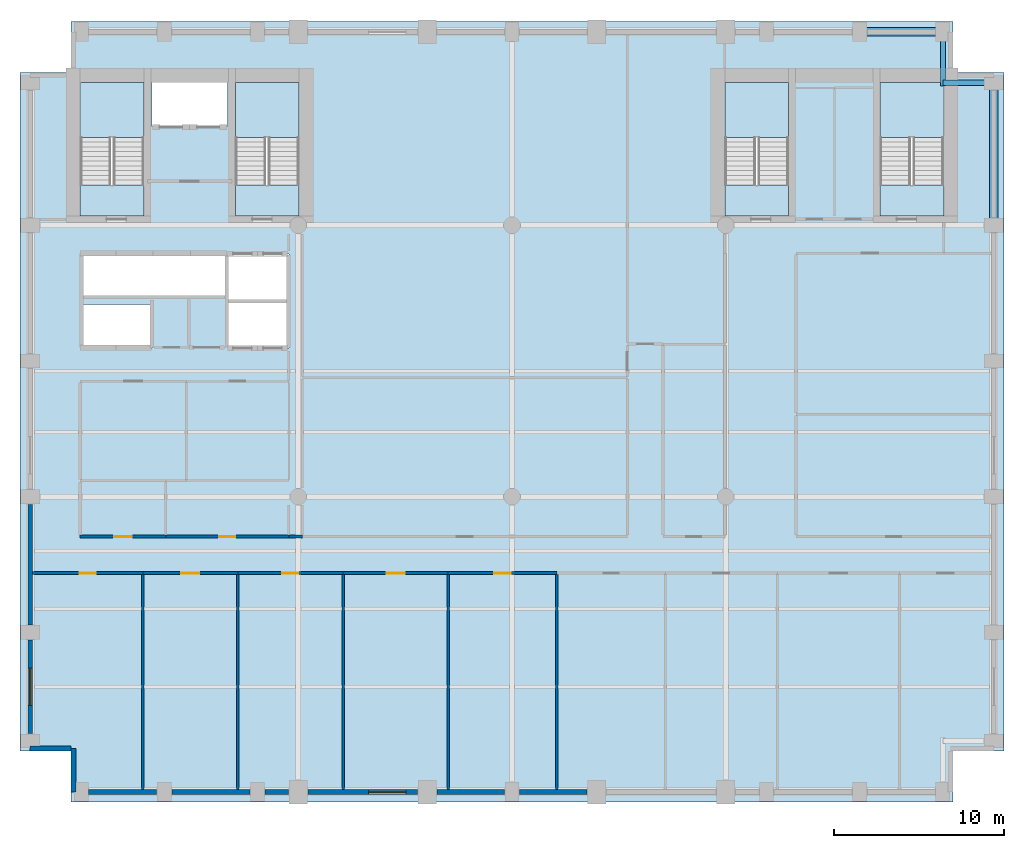
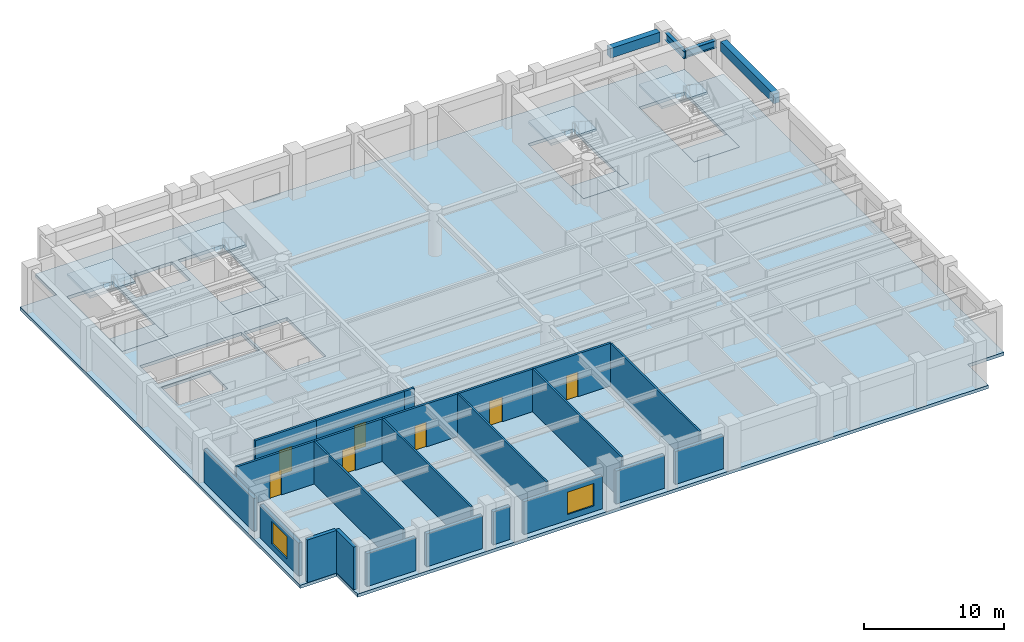
# One storey, part 2 of 8: 23 walls, 9 slabs, 7 doors, 4 beams, 2 windows, 9 openings, 4 elements without a shape of their own.
"""IFC4 building model written with IfcOpenShell, lengths in metres."""

from ifc_helpers import new_model, si_unit, direction, frame, frame_2d, origin, origin_2d, place, context, subcontext, project, spatial, polyline, rectangle, i_section, outline, extrude, material, layer, layer_set, material_profile, profile_set, type_object, element, fill, aggregate, save


model = new_model("IFC4")

# Units and contexts
model_context = context("Model", 3, precision=1e-05, world=origin(), true_north=direction((0.0, 1.0)))
body_context = subcontext(model_context, "Body", "Model", "MODEL_VIEW")
ifc_project = project(units=[si_unit("LENGTHUNIT", "METRE"), si_unit("AREAUNIT", "SQUARE_METRE"), si_unit("VOLUMEUNIT", "CUBIC_METRE"), si_unit("PLANEANGLEUNIT", "RADIAN"), si_unit("MASSUNIT", "GRAM", prefix="KILO")], contexts=[model_context])

# Site, building, storey
site_placement = place(None, origin())
site = spatial("IfcSite", under=ifc_project, at=site_placement, CompositionType="ELEMENT")
building_placement = place(site_placement, origin())
building = spatial("IfcBuilding", under=site, at=building_placement, Name="Sulina Concourse Tower", CompositionType="ELEMENT")
storey_placement = place(building_placement, frame((0.0, 0.0, 148.60009765625)))
storey = spatial("IfcBuildingStorey", under=building, at=storey_placement, Name="L36", CompositionType="ELEMENT", Elevation=148.60009765625)

# Beams
ifc_material_1 = material(Name="Steel S355", Category="steel")
ifc_material_profile_1 = material_profile(ifc_material_1, i_section(OverallWidth=0.300048828125, OverallDepth=0.64990234375, WebThickness=0.01611328125, FlangeThickness=0.031005859375, at=origin_2d()), Name="HE 650 B")
ifc_profile_set_1 = profile_set([ifc_material_profile_1], Name="Steel S355")
beam_type_1 = type_object("IfcBeamType", Name="Floor Primary Girder Zone 2 HE650B", PredefinedType="BEAM", material=ifc_profile_set_1)
beam_1_placement = place(storey_placement, frame((54.39990234375, 42.39990234375, 3.39990234375), z_axis=(1.0, 0.0, 0.0), x_axis=(0.0, 1.0, 0.0)))
element("IfcBeam", 1, at=beam_1_placement, inside=storey, type_object=beam_type_1, Name="TIE-NE-L36", PredefinedType="BEAM", context=body_context, shape_type="SweptSolid", body=[
    extrude(i_section(OverallWidth=0.300048828125, OverallDepth=0.64990234375, WebThickness=0.01611328125, FlangeThickness=0.031005859375, at=origin_2d()), origin(), (0.0, 0.0, 1.0), 2.59521484375),
])
beam_2_placement = place(storey_placement, frame((54.39990234375, 42.199951171875, 3.39990234375), z_axis=(0.0, 1.0, 0.0), x_axis=(-1.0, 0.0, 0.0)))
element("IfcBeam", 2, at=beam_2_placement, inside=storey, type_object=beam_type_1, Name="TIE-NEN-L36", PredefinedType="BEAM", context=body_context, shape_type="SweptSolid", body=[
    extrude(i_section(OverallWidth=0.300048828125, OverallDepth=0.64990234375, WebThickness=0.01611328125, FlangeThickness=0.031005859375, at=origin_2d()), origin(), (0.0, 0.0, 1.0), 2.795166015625),
])
ifc_material_2 = material(Name="Precast concrete C50/60", Category="concrete")
ifc_material_profile_2 = material_profile(ifc_material_2, rectangle(XDim=0.5, YDim=0.85009765625, at=origin_2d()), Name="RC 500x850")
ifc_profile_set_2 = profile_set([ifc_material_profile_2], Name="Precast concrete C50/60")
beam_type_2 = type_object("IfcBeamType", Name="Lower Precast Spandrel Edge Beam 500x850", PredefinedType="BEAM", material=ifc_profile_set_2)
beam_3_placement = place(storey_placement, frame((49.905029296875, 45.39990234375, 3.2998046875), z_axis=(1.0, 0.0, 0.0), x_axis=(0.0, 1.0, 0.0)))
element("IfcBeam", 3, at=beam_3_placement, inside=storey, type_object=beam_type_2, Name="SP-N10-L36", PredefinedType="BEAM", context=body_context, shape_type="SweptSolid", body=[
    extrude(rectangle(XDim=0.5, YDim=0.85009765625, at=origin_2d()), origin(), (0.0, 0.0, 1.0), 4.090087890625),
])
beam_4_placement = place(storey_placement, frame((57.39990234375, 34.405029296875, 3.2998046875), z_axis=(0.0, 1.0, 0.0), x_axis=(-1.0, 0.0, 0.0)))
element("IfcBeam", 4, at=beam_4_placement, inside=storey, type_object=beam_type_2, Name="SP-E5-L36", PredefinedType="BEAM", context=body_context, shape_type="SweptSolid", body=[
    extrude(rectangle(XDim=0.5, YDim=0.85009765625, at=origin_2d()), origin(), (0.0, 0.0, 1.0), 7.590087890625),
])

# Slabs
ifc_material_3 = material(Name="Concrete C50/60", Category="concrete")
ifc_layer_1 = layer(ifc_material_3, 0.27490234375)
ifc_layer_set_1 = layer_set([ifc_layer_1], Name="Concrete C50/60")
slab_type_1 = type_object("IfcSlabType", Name="Mid-Rise Composite Floor Slab 275mm", PredefinedType="FLOOR", material=ifc_layer_set_1)
slab_1_placement = place(storey_placement, frame((0.0, 0.0, -0.275146484375)))
element("IfcSlab", 5, at=slab_1_placement, inside=storey, type_object=slab_type_1, Name="L36 structural floor slab", PredefinedType="FLOOR", context=body_context, shape_type="SweptSolid", body=[
    extrude(outline(polyline([(3.0, 0.0), (55.0, 0.0), (55.0, 3.0), (58.0, 3.0), (58.0, 43.0), (55.0, 43.0), (55.0, 46.0), (3.0, 46.0), (3.0, 43.0), (0.0, 43.0), (0.0, 3.0), (3.0, 3.0), (3.0, 0.0)]), holes=[polyline([(7.31005859375, 34.550048828125), (7.31005859375, 42.429931640625), (3.550048828125, 42.429931640625), (3.550048828125, 34.550048828125), (7.31005859375, 34.550048828125)]), polyline([(16.449951171875, 34.550048828125), (16.449951171875, 42.429931640625), (12.68994140625, 42.429931640625), (12.68994140625, 34.550048828125), (16.449951171875, 34.550048828125)]), polyline([(45.31005859375, 34.550048828125), (45.31005859375, 42.429931640625), (41.550048828125, 42.429931640625), (41.550048828125, 34.550048828125), (45.31005859375, 34.550048828125)]), polyline([(54.449951171875, 34.550048828125), (54.449951171875, 42.429931640625), (50.68994140625, 42.429931640625), (50.68994140625, 34.550048828125), (54.449951171875, 34.550048828125)]), polyline([(7.780029296875, 39.830078125), (12.219970703125, 39.830078125), (12.219970703125, 42.449951171875), (7.780029296875, 42.449951171875), (7.780029296875, 39.830078125)]), polyline([(3.739990234375, 26.780029296875), (7.77001953125, 26.780029296875), (7.77001953125, 29.320068359375), (3.739990234375, 29.320068359375), (3.739990234375, 26.780029296875)]), polyline([(3.739990234375, 29.780029296875), (12.10009765625, 29.780029296875), (12.10009765625, 32.3701171875), (3.739990234375, 32.3701171875), (3.739990234375, 29.780029296875)]), polyline([(12.280029296875, 26.780029296875), (15.85009765625, 26.780029296875), (15.85009765625, 32.320068359375), (12.280029296875, 32.320068359375), (12.280029296875, 26.780029296875)])]), origin(), (0.0, 0.0, 1.0), 0.275146484375),
])
ifc_material_4 = material(Name="Concrete C50/60", Category="concrete")
ifc_layer_2 = layer(ifc_material_4, 0.199951171875)
ifc_layer_set_2 = layer_set([ifc_layer_2], Name="Concrete C50/60")
slab_type_2 = type_object("IfcSlabType", Name="Primary Core Stair Landing Slab 200mm", PredefinedType="LANDING", material=ifc_layer_set_2)
slab_2_placement = place(storey_placement, frame((0.0, 0.0, -0.2001953125)))
element("IfcSlab", 6, at=slab_2_placement, inside=storey, type_object=slab_type_2, Name="L36 ST-1 floor landing slab", PredefinedType="LANDING", context=body_context, shape_type="SweptSolid", body=[
    extrude(outline(polyline([(7.31005859375, 34.550048828125), (7.31005859375, 36.375), (3.550048828125, 36.375), (3.550048828125, 34.550048828125), (7.31005859375, 34.550048828125)])), origin(), (0.0, 0.0, 1.0), 0.2001953125),
])
slab_3_placement = place(storey_placement, frame((0.0, 0.0, -0.2001953125)))
element("IfcSlab", 7, at=slab_3_placement, inside=storey, type_object=slab_type_2, Name="L36 ST-2 floor landing slab", PredefinedType="LANDING", context=body_context, shape_type="SweptSolid", body=[
    extrude(outline(polyline([(16.449951171875, 34.550048828125), (16.449951171875, 36.375), (12.68994140625, 36.375), (12.68994140625, 34.550048828125), (16.449951171875, 34.550048828125)])), origin(), (0.0, 0.0, 1.0), 0.2001953125),
])
slab_4_placement = place(storey_placement, frame((0.0, 0.0, -0.2001953125)))
element("IfcSlab", 8, at=slab_4_placement, inside=storey, type_object=slab_type_2, Name="L36 ST-3 floor landing slab", PredefinedType="LANDING", context=body_context, shape_type="SweptSolid", body=[
    extrude(outline(polyline([(45.31005859375, 34.550048828125), (45.31005859375, 36.375), (41.550048828125, 36.375), (41.550048828125, 34.550048828125), (45.31005859375, 34.550048828125)])), origin(), (0.0, 0.0, 1.0), 0.2001953125),
])
slab_5_placement = place(storey_placement, frame((0.0, 0.0, -0.2001953125)))
element("IfcSlab", 9, at=slab_5_placement, inside=storey, type_object=slab_type_2, Name="L36 ST-4 floor landing slab", PredefinedType="LANDING", context=body_context, shape_type="SweptSolid", body=[
    extrude(outline(polyline([(54.449951171875, 34.550048828125), (54.449951171875, 36.375), (50.68994140625, 36.375), (50.68994140625, 34.550048828125), (54.449951171875, 34.550048828125)])), origin(), (0.0, 0.0, 1.0), 0.2001953125),
])

# Stair, slab
ifc_material_5 = material(Name="Concrete C50/60", Category="concrete")
stair_type_1 = type_object("IfcStairType", Name="Primary Core Dog-Leg Exit Stair 1800mm", PredefinedType="HALF_TURN_STAIR", material=ifc_material_5)
stair_1_placement = place(storey_placement, origin())
stair_1 = element("IfcStair", 10, at=stair_1_placement, inside=storey, type_object=stair_type_1, Name="L36 ST-1", PredefinedType="HALF_TURN_STAIR")
slab_6_placement = place(storey_placement, frame((0.0, 0.0, 1.7998046875)))
slab_6 = element("IfcSlab", 11, at=slab_6_placement, type_object=slab_type_2, Name="ST-1 landing 1", PredefinedType="LANDING", context=body_context, shape_type="SweptSolid", body=[
    extrude(outline(polyline([(7.304931640625, 39.175048828125), (7.304931640625, 42.425048828125), (3.554931640625, 42.425048828125), (3.554931640625, 39.175048828125), (7.304931640625, 39.175048828125)])), origin(), (0.0, 0.0, 1.0), 0.2001953125),
])
aggregate(stair_1, [slab_6])

stair_2_placement = place(storey_placement, origin())
stair_2 = element("IfcStair", 12, at=stair_2_placement, inside=storey, type_object=stair_type_1, Name="L36 ST-2", PredefinedType="HALF_TURN_STAIR")
slab_7_placement = place(storey_placement, frame((0.0, 0.0, 1.7998046875)))
slab_7 = element("IfcSlab", 13, at=slab_7_placement, type_object=slab_type_2, Name="ST-2 landing 1", PredefinedType="LANDING", context=body_context, shape_type="SweptSolid", body=[
    extrude(outline(polyline([(16.445068359375, 39.175048828125), (16.445068359375, 42.425048828125), (12.695068359375, 42.425048828125), (12.695068359375, 39.175048828125), (16.445068359375, 39.175048828125)])), origin(), (0.0, 0.0, 1.0), 0.2001953125),
])
aggregate(stair_2, [slab_7])

ifc_material_6 = material(Name="Concrete C50/60", Category="concrete")
stair_type_2 = type_object("IfcStairType", Name="Portal & Podium Core Exit Stair 1820mm", PredefinedType="HALF_TURN_STAIR", material=ifc_material_6)
stair_3_placement = place(storey_placement, origin())
stair_3 = element("IfcStair", 14, at=stair_3_placement, inside=storey, type_object=stair_type_2, Name="L36 ST-3", PredefinedType="HALF_TURN_STAIR")
slab_8_placement = place(storey_placement, frame((0.0, 0.0, 1.7998046875)))
slab_8 = element("IfcSlab", 15, at=slab_8_placement, type_object=slab_type_2, Name="ST-3 landing 1", PredefinedType="LANDING", context=body_context, shape_type="SweptSolid", body=[
    extrude(outline(polyline([(45.304931640625, 39.175048828125), (45.304931640625, 42.425048828125), (41.554931640625, 42.425048828125), (41.554931640625, 39.175048828125), (45.304931640625, 39.175048828125)])), origin(), (0.0, 0.0, 1.0), 0.2001953125),
])
aggregate(stair_3, [slab_8])

stair_4_placement = place(storey_placement, origin())
stair_4 = element("IfcStair", 16, at=stair_4_placement, inside=storey, type_object=stair_type_2, Name="L36 ST-4", PredefinedType="HALF_TURN_STAIR")
slab_9_placement = place(storey_placement, frame((0.0, 0.0, 1.7998046875)))
slab_9 = element("IfcSlab", 17, at=slab_9_placement, type_object=slab_type_2, Name="ST-4 landing 1", PredefinedType="LANDING", context=body_context, shape_type="SweptSolid", body=[
    extrude(outline(polyline([(54.445068359375, 39.175048828125), (54.445068359375, 42.425048828125), (50.695068359375, 42.425048828125), (50.695068359375, 39.175048828125), (54.445068359375, 39.175048828125)])), origin(), (0.0, 0.0, 1.0), 0.2001953125),
])
aggregate(stair_4, [slab_9])

# Walls
ifc_material_7 = material(Name="Gypsum board on steel stud", Category="steel")
ifc_layer_3 = layer(ifc_material_7, 0.14990234375)
ifc_layer_set_3 = layer_set([ifc_layer_3], Name="Gypsum board on steel stud")
wall_type_1 = type_object("IfcWallType", Name="Inter-Tenancy Acoustic Partition 150mm", PredefinedType="PARTITIONING", material=ifc_layer_set_3)
for number, where, z_axis, x_axis, name in (
    (18, (7.239990234375, 0.739990234375, 0.0), (0.0, 0.0, 1.0), (0.0, 1.0, 0.0), "L36 interior partition 034"),
    (19, (12.840087890625, 0.739990234375, 0.0), (0.0, 0.0, 1.0), (0.0, 1.0, 0.0), "L36 interior partition 038"),
    (20, (19.0400390625, 0.739990234375, 0.0), (0.0, 0.0, 1.0), (0.0, 1.0, 0.0), "L36 interior partition 046"),
    (21, (25.239990234375, 0.739990234375, 0.0), (0.0, 0.0, 1.0), (0.0, 1.0, 0.0), "L36 interior partition 047"),
    (22, (31.639892578125, 0.739990234375, 0.0), (0.0, 0.0, 1.0), (0.0, 1.0, 0.0), "L36 interior partition 048"),
):
    element("IfcWall", number, at=place(storey_placement, frame(where, z_axis=z_axis, x_axis=x_axis)), inside=storey, type_object=wall_type_1, Name=name, PredefinedType="PARTITIONING", context=body_context, shape_type="SweptSolid", body=[
        extrude(rectangle(XDim=12.669921875, YDim=0.14990234375, at=frame_2d((6.3349609375, 0.0))), origin(), (0.0, 0.0, 1.0), 3.724853515625),
    ])

# Wall, opening, door
ifc_material_8 = material(Name="Gypsum board on steel stud", Category="steel")
ifc_layer_4 = layer(ifc_material_8, 0.179931640625)
ifc_layer_set_4 = layer_set([ifc_layer_4], Name="Gypsum board on steel stud")
wall_type_2 = type_object("IfcWallType", Name="Protected Corridor & Riser Partition 180mm", PredefinedType="PARTITIONING", material=ifc_layer_set_4)
wall_1_placement = place(storey_placement, frame((0.739990234375, 13.5, 0.0), z_axis=(0.0, 0.0, 1.0), x_axis=(1.0, 0.0, 0.0)))
wall_1 = element("IfcWall", 23, at=wall_1_placement, inside=storey, type_object=wall_type_2, Name="L36 interior partition 001", PredefinedType="PARTITIONING", context=body_context, shape_type="SweptSolid", body=[
    extrude(rectangle(XDim=6.5, YDim=0.179931640625, at=frame_2d((3.25, 0.0))), origin(), (0.0, 0.0, 1.0), 3.724853515625),
])
opening_1_placement = place(wall_1_placement, frame((2.77490234375, 0.0, 0.0)))
opening_1 = element("IfcOpeningElement", 24, at=opening_1_placement, cuts=wall_1, Name="Opening DR-19", PredefinedType="OPENING", context=body_context, shape_type="SweptSolid", body=[
    extrude(rectangle(XDim=0.949951171875, YDim=2.14990234375, at=frame_2d((0.47509765625, 1.074951171875))), frame((0.0, 0.099853515625, 0.0), z_axis=(0.0, -1.0, 0.0), x_axis=(1.0, 0.0, 0.0)), (0.0, 0.0, 1.0), 0.199951171875),
])
ifc_material_9 = material(Name="Oak-veneered acoustic timber leaf", Category="wood")
ifc_layer_5 = layer(ifc_material_9, 0.050048828125)
ifc_layer_set_5 = layer_set([ifc_layer_5], Name="Oak-veneered acoustic timber leaf")
door_type_1 = type_object("IfcDoorType", Name="Cellular Office & Meeting Door 950x2150", OperationType="NOTDEFINED", PredefinedType="DOOR", material=ifc_layer_set_5)
door_1_placement = place(opening_1_placement, origin())
door_1 = element("IfcDoor", 25, at=door_1_placement, inside=storey, type_object=door_type_1, Name="L36 interior door L36-S01", OperationType="SINGLE_SWING_RIGHT", OverallHeight=2.14990234375, OverallWidth=0.949951171875, PredefinedType="DOOR", context=body_context, shape_type="SweptSolid", body=[
    extrude(rectangle(XDim=0.949951171875, YDim=2.14990234375, at=frame_2d((0.47509765625, 1.074951171875))), frame((0.0, 0.02490234375, 0.0), z_axis=(0.0, -1.0, 0.0), x_axis=(1.0, 0.0, 0.0)), (0.0, 0.0, 1.0), 0.050048828125),
])
fill(opening_1, door_1)

wall_2_placement = place(storey_placement, frame((7.239990234375, 13.5, 0.0), z_axis=(0.0, 0.0, 1.0), x_axis=(1.0, 0.0, 0.0)))
wall_2 = element("IfcWall", 26, at=wall_2_placement, inside=storey, type_object=wall_type_2, Name="L36 interior partition 002", PredefinedType="PARTITIONING", context=body_context, shape_type="SweptSolid", body=[
    extrude(rectangle(XDim=5.60009765625, YDim=0.179931640625, at=frame_2d((2.800048828125, 0.0))), origin(), (0.0, 0.0, 1.0), 3.724853515625),
])
opening_2_placement = place(wall_2_placement, frame((2.27490234375, 0.0, 0.0)))
opening_2 = element("IfcOpeningElement", 27, at=opening_2_placement, cuts=wall_2, Name="Opening DR-37", PredefinedType="OPENING", context=body_context, shape_type="SweptSolid", body=[
    extrude(rectangle(XDim=1.050048828125, YDim=2.14990234375, at=frame_2d((0.52490234375, 1.074951171875))), frame((0.0, 0.099853515625, 0.0), z_axis=(0.0, -1.0, 0.0), x_axis=(1.0, 0.0, 0.0)), (0.0, 0.0, 1.0), 0.199951171875),
])
ifc_material_10 = material(Name="Oak-veneered fire door leaf")
ifc_layer_6 = layer(ifc_material_10, 0.050048828125)
ifc_layer_set_6 = layer_set([ifc_layer_6], Name="Oak-veneered fire door leaf")
door_type_2 = type_object("IfcDoorType", Name="Tenant Suite Entrance Fire Door 1050x2150", OperationType="NOTDEFINED", PredefinedType="DOOR", material=ifc_layer_set_6)
door_2_placement = place(opening_2_placement, origin())
door_2 = element("IfcDoor", 28, at=door_2_placement, inside=storey, type_object=door_type_2, Name="L36 interior door L36-S02", OperationType="SINGLE_SWING_LEFT", OverallHeight=2.14990234375, OverallWidth=1.050048828125, PredefinedType="DOOR", context=body_context, shape_type="SweptSolid", body=[
    extrude(rectangle(XDim=1.050048828125, YDim=2.14990234375, at=frame_2d((0.52490234375, 1.074951171875))), frame((0.0, 0.02490234375, 0.0), z_axis=(0.0, -1.0, 0.0), x_axis=(1.0, 0.0, 0.0)), (0.0, 0.0, 1.0), 0.050048828125),
])
fill(opening_2, door_2)

wall_3_placement = place(storey_placement, frame((12.840087890625, 13.5, 0.0), z_axis=(0.0, 0.0, 1.0), x_axis=(1.0, 0.0, 0.0)))
wall_3 = element("IfcWall", 29, at=wall_3_placement, inside=storey, type_object=wall_type_2, Name="L36 interior partition 003", PredefinedType="PARTITIONING", context=body_context, shape_type="SweptSolid", body=[
    extrude(rectangle(XDim=6.199951171875, YDim=0.179931640625, at=frame_2d((3.10009765625, 0.0))), origin(), (0.0, 0.0, 1.0), 3.724853515625),
])
opening_3_placement = place(wall_3_placement, frame((2.625, 0.0, 0.0)))
opening_3 = element("IfcOpeningElement", 30, at=opening_3_placement, cuts=wall_3, Name="Opening DR-19", PredefinedType="OPENING", context=body_context, shape_type="SweptSolid", body=[
    extrude(rectangle(XDim=0.949951171875, YDim=2.14990234375, at=frame_2d((0.47509765625, 1.074951171875))), frame((0.0, 0.099853515625, 0.0), z_axis=(0.0, -1.0, 0.0), x_axis=(1.0, 0.0, 0.0)), (0.0, 0.0, 1.0), 0.199951171875),
])
door_3_placement = place(opening_3_placement, origin())
door_3 = element("IfcDoor", 31, at=door_3_placement, inside=storey, type_object=door_type_1, Name="L36 interior door L36-S03", OperationType="SINGLE_SWING_RIGHT", OverallHeight=2.14990234375, OverallWidth=0.949951171875, PredefinedType="DOOR", context=body_context, shape_type="SweptSolid", body=[
    extrude(rectangle(XDim=0.949951171875, YDim=2.14990234375, at=frame_2d((0.47509765625, 1.074951171875))), frame((0.0, 0.02490234375, 0.0), z_axis=(0.0, -1.0, 0.0), x_axis=(1.0, 0.0, 0.0)), (0.0, 0.0, 1.0), 0.050048828125),
])
fill(opening_3, door_3)

wall_4_placement = place(storey_placement, frame((19.0400390625, 13.5, 0.0), z_axis=(0.0, 0.0, 1.0), x_axis=(1.0, 0.0, 0.0)))
wall_4 = element("IfcWall", 32, at=wall_4_placement, inside=storey, type_object=wall_type_2, Name="L36 interior partition 004", PredefinedType="PARTITIONING", context=body_context, shape_type="SweptSolid", body=[
    extrude(rectangle(XDim=6.199951171875, YDim=0.179931640625, at=frame_2d((3.10009765625, 0.0))), origin(), (0.0, 0.0, 1.0), 3.724853515625),
])
opening_4_placement = place(wall_4_placement, frame((2.574951171875, 0.0, 0.0)))
opening_4 = element("IfcOpeningElement", 33, at=opening_4_placement, cuts=wall_4, Name="Opening DR-37", PredefinedType="OPENING", context=body_context, shape_type="SweptSolid", body=[
    extrude(rectangle(XDim=1.050048828125, YDim=2.14990234375, at=frame_2d((0.52490234375, 1.074951171875))), frame((0.0, 0.099853515625, 0.0), z_axis=(0.0, -1.0, 0.0), x_axis=(1.0, 0.0, 0.0)), (0.0, 0.0, 1.0), 0.199951171875),
])
door_4_placement = place(opening_4_placement, origin())
door_4 = element("IfcDoor", 34, at=door_4_placement, inside=storey, type_object=door_type_2, Name="L36 interior door L36-S04", OperationType="SINGLE_SWING_LEFT", OverallHeight=2.14990234375, OverallWidth=1.050048828125, PredefinedType="DOOR", context=body_context, shape_type="SweptSolid", body=[
    extrude(rectangle(XDim=1.050048828125, YDim=2.14990234375, at=frame_2d((0.52490234375, 1.074951171875))), frame((0.0, 0.02490234375, 0.0), z_axis=(0.0, -1.0, 0.0), x_axis=(1.0, 0.0, 0.0)), (0.0, 0.0, 1.0), 0.050048828125),
])
fill(opening_4, door_4)

wall_5_placement = place(storey_placement, frame((25.239990234375, 13.5, 0.0), z_axis=(0.0, 0.0, 1.0), x_axis=(1.0, 0.0, 0.0)))
wall_5 = element("IfcWall", 35, at=wall_5_placement, inside=storey, type_object=wall_type_2, Name="L36 interior partition 005", PredefinedType="PARTITIONING", context=body_context, shape_type="SweptSolid", body=[
    extrude(rectangle(XDim=6.39990234375, YDim=0.179931640625, at=frame_2d((3.199951171875, 0.0))), origin(), (0.0, 0.0, 1.0), 3.724853515625),
])
opening_5_placement = place(wall_5_placement, frame((2.72509765625, 0.0, 0.0)))
opening_5 = element("IfcOpeningElement", 36, at=opening_5_placement, cuts=wall_5, Name="Opening DR-19", PredefinedType="OPENING", context=body_context, shape_type="SweptSolid", body=[
    extrude(rectangle(XDim=0.949951171875, YDim=2.14990234375, at=frame_2d((0.47509765625, 1.074951171875))), frame((0.0, 0.099853515625, 0.0), z_axis=(0.0, -1.0, 0.0), x_axis=(1.0, 0.0, 0.0)), (0.0, 0.0, 1.0), 0.199951171875),
])
door_5_placement = place(opening_5_placement, origin())
door_5 = element("IfcDoor", 37, at=door_5_placement, inside=storey, type_object=door_type_1, Name="L36 interior door L36-S05", OperationType="SINGLE_SWING_RIGHT", OverallHeight=2.14990234375, OverallWidth=0.949951171875, PredefinedType="DOOR", context=body_context, shape_type="SweptSolid", body=[
    extrude(rectangle(XDim=0.949951171875, YDim=2.14990234375, at=frame_2d((0.47509765625, 1.074951171875))), frame((0.0, 0.02490234375, 0.0), z_axis=(0.0, -1.0, 0.0), x_axis=(1.0, 0.0, 0.0)), (0.0, 0.0, 1.0), 0.050048828125),
])
fill(opening_5, door_5)

wall_6_placement = place(storey_placement, frame((3.550048828125, 15.64990234375, 0.0), z_axis=(0.0, 0.0, 1.0), x_axis=(1.0, 0.0, 0.0)))
wall_6 = element("IfcWall", 38, at=wall_6_placement, inside=storey, type_object=wall_type_2, Name="L36 interior partition 010", PredefinedType="PARTITIONING", context=body_context, shape_type="SweptSolid", body=[
    extrude(rectangle(XDim=5.050048828125, YDim=0.179931640625, at=frame_2d((2.52490234375, 0.0))), origin(), (0.0, 0.0, 1.0), 3.724853515625),
])
opening_6_placement = place(wall_6_placement, frame((2.0, 0.0, 0.0)))
opening_6 = element("IfcOpeningElement", 39, at=opening_6_placement, cuts=wall_6, Name="Opening DR-37", PredefinedType="OPENING", context=body_context, shape_type="SweptSolid", body=[
    extrude(rectangle(XDim=1.050048828125, YDim=2.14990234375, at=frame_2d((0.52490234375, 1.074951171875))), frame((0.0, 0.099853515625, 0.0), z_axis=(0.0, -1.0, 0.0), x_axis=(1.0, 0.0, 0.0)), (0.0, 0.0, 1.0), 0.199951171875),
])
door_6_placement = place(opening_6_placement, origin())
door_6 = element("IfcDoor", 40, at=door_6_placement, inside=storey, type_object=door_type_2, Name="L36 interior door L36-WSB-1", OperationType="SINGLE_SWING_LEFT", OverallHeight=2.14990234375, OverallWidth=1.050048828125, PredefinedType="DOOR", context=body_context, shape_type="SweptSolid", body=[
    extrude(rectangle(XDim=1.050048828125, YDim=2.14990234375, at=frame_2d((0.52490234375, 1.074951171875))), frame((0.0, 0.02490234375, 0.0), z_axis=(0.0, -1.0, 0.0), x_axis=(1.0, 0.0, 0.0)), (0.0, 0.0, 1.0), 0.050048828125),
])
fill(opening_6, door_6)

wall_7_placement = place(storey_placement, frame((8.60009765625, 15.64990234375, 0.0), z_axis=(0.0, 0.0, 1.0), x_axis=(1.0, 0.0, 0.0)))
wall_7 = element("IfcWall", 41, at=wall_7_placement, inside=storey, type_object=wall_type_2, Name="L36 interior partition 011", PredefinedType="PARTITIONING", context=body_context, shape_type="SweptSolid", body=[
    extrude(rectangle(XDim=7.25, YDim=0.179931640625, at=frame_2d((3.625, 0.0))), origin(), (0.0, 0.0, 1.0), 3.724853515625),
])
opening_7_placement = place(wall_7_placement, frame((3.14990234375, 0.0, 0.0)))
opening_7 = element("IfcOpeningElement", 42, at=opening_7_placement, cuts=wall_7, Name="Opening DR-19", PredefinedType="OPENING", context=body_context, shape_type="SweptSolid", body=[
    extrude(rectangle(XDim=0.949951171875, YDim=2.14990234375, at=frame_2d((0.47509765625, 1.074951171875))), frame((0.0, 0.099853515625, 0.0), z_axis=(0.0, -1.0, 0.0), x_axis=(1.0, 0.0, 0.0)), (0.0, 0.0, 1.0), 0.199951171875),
])
door_7_placement = place(opening_7_placement, origin())
door_7 = element("IfcDoor", 43, at=door_7_placement, inside=storey, type_object=door_type_1, Name="L36 interior door L36-WSB-2", OperationType="SINGLE_SWING_RIGHT", OverallHeight=2.14990234375, OverallWidth=0.949951171875, PredefinedType="DOOR", context=body_context, shape_type="SweptSolid", body=[
    extrude(rectangle(XDim=0.949951171875, YDim=2.14990234375, at=frame_2d((0.47509765625, 1.074951171875))), frame((0.0, 0.02490234375, 0.0), z_axis=(0.0, -1.0, 0.0), x_axis=(1.0, 0.0, 0.0)), (0.0, 0.0, 1.0), 0.050048828125),
])
fill(opening_7, door_7)

# Walls
wall_8_placement = place(storey_placement, frame((15.85009765625, 15.64990234375, 0.0), z_axis=(0.0, 0.0, 1.0), x_axis=(1.0, 0.0, 0.0)))
element("IfcWall", 44, at=wall_8_placement, inside=storey, type_object=wall_type_2, Name="L36 interior partition 012", PredefinedType="PARTITIONING", context=body_context, shape_type="SweptSolid", body=[
    extrude(rectangle(XDim=0.7998046875, YDim=0.179931640625, at=frame_2d((0.39990234375, 0.0))), origin(), (0.0, 0.0, 1.0), 3.724853515625),
])
ifc_material_11 = material(Name="Precast concrete C50/60", Category="concrete")
ifc_layer_7 = layer(ifc_material_11, 0.280029296875)
ifc_layer_set_7 = layer_set([ifc_layer_7], Name="Precast concrete C50/60")
wall_type_3 = type_object("IfcWallType", Name="Typical Precast Masonry-Frame Facade Wall 280mm", PredefinedType="SOLIDWALL", material=ifc_layer_set_7)
wall_9_placement = place(storey_placement, frame((8.054931640625, 0.60009765625, 0.0), z_axis=(0.0, 0.0, 1.0), x_axis=(-1.0, 0.0, 0.0)))
element("IfcWall", 45, at=wall_9_placement, inside=storey, type_object=wall_type_3, Name="L36 exterior precast wall S1", PredefinedType="SOLIDWALL", context=body_context, shape_type="SweptSolid", body=[
    extrude(rectangle(XDim=4.010009765625, YDim=0.280029296875, at=frame_2d((2.0048828125, 0.0))), origin(), (0.0, 0.0, 1.0), 2.875),
])
wall_10_placement = place(storey_placement, frame((13.554931640625, 0.60009765625, 0.0), z_axis=(0.0, 0.0, 1.0), x_axis=(-1.0, 0.0, 0.0)))
element("IfcWall", 46, at=wall_10_placement, inside=storey, type_object=wall_type_3, Name="L36 exterior precast wall S2", PredefinedType="SOLIDWALL", context=body_context, shape_type="SweptSolid", body=[
    extrude(rectangle(XDim=4.60986328125, YDim=0.280029296875, at=frame_2d((2.304931640625, 0.0))), origin(), (0.0, 0.0, 1.0), 2.875),
])
wall_11_placement = place(storey_placement, frame((15.830078125, 0.60009765625, 0.0), z_axis=(0.0, 0.0, 1.0), x_axis=(-1.0, 0.0, 0.0)))
element("IfcWall", 47, at=wall_11_placement, inside=storey, type_object=wall_type_3, Name="L36 exterior precast wall S3", PredefinedType="SOLIDWALL", context=body_context, shape_type="SweptSolid", body=[
    extrude(rectangle(XDim=1.385009765625, YDim=0.280029296875, at=frame_2d((0.6923828125, 0.0))), origin(), (0.0, 0.0, 1.0), 2.875),
])

# Wall, opening, window
wall_12_placement = place(storey_placement, frame((23.429931640625, 0.60009765625, 0.0), z_axis=(0.0, 0.0, 1.0), x_axis=(-1.0, 0.0, 0.0)))
wall_12 = element("IfcWall", 48, at=wall_12_placement, inside=storey, type_object=wall_type_3, Name="L36 exterior precast wall S4", PredefinedType="SOLIDWALL", context=body_context, shape_type="SweptSolid", body=[
    extrude(rectangle(XDim=6.4599609375, YDim=0.280029296875, at=frame_2d((3.22998046875, 0.0))), origin(), (0.0, 0.0, 1.0), 2.875),
])
opening_8_placement = place(wall_12_placement, frame((0.686767578125, 0.0, 0.5)))
opening_8 = element("IfcOpeningElement", 49, at=opening_8_placement, cuts=wall_12, Name="Opening WN-76", PredefinedType="OPENING", context=body_context, shape_type="SweptSolid", body=[
    extrude(rectangle(XDim=2.199951171875, YDim=1.949951171875, at=frame_2d((1.10009765625, 0.97509765625))), frame((0.0, 0.14990234375, 0.0), z_axis=(0.0, -1.0, 0.0), x_axis=(1.0, 0.0, 0.0)), (0.0, 0.0, 1.0), 0.300048828125),
])
ifc_material_12 = material(Name="Low-E solar double glazing in bronze aluminium", Category="aluminium")
window_type = type_object("IfcWindowType", Name="Recessed Spandrel Window 2200x1950", PartitioningType="DOUBLE_PANEL_VERTICAL", PredefinedType="WINDOW", material=ifc_material_12)
window_1_placement = place(opening_8_placement, origin())
window_1 = element("IfcWindow", 50, at=window_1_placement, inside=storey, type_object=window_type, Name="L36 punched window S4-1", OverallHeight=1.949951171875, OverallWidth=2.199951171875, PartitioningType="SINGLE_PANEL", PredefinedType="WINDOW", context=body_context, shape_type="SweptSolid", body=[
    extrude(rectangle(XDim=2.199951171875, YDim=1.949951171875, at=frame_2d((1.10009765625, 0.97509765625))), frame((0.0, 0.030029296875, 0.0), z_axis=(0.0, -1.0, 0.0), x_axis=(1.0, 0.0, 0.0)), (0.0, 0.0, 1.0), 0.06005859375),
])
fill(opening_8, window_1)

# Walls
for number, where, z_axis, x_axis, name in (
    (51, (28.554931640625, 0.60009765625, 0.0), (0.0, 0.0, 1.0), (-1.0, 0.0, 0.0), "L36 exterior precast wall S5"),
    (52, (33.429931640625, 0.60009765625, 0.0), (0.0, 0.0, 1.0), (-1.0, 0.0, 0.0), "L36 exterior precast wall S6"),
):
    element("IfcWall", number, at=place(storey_placement, frame(where, z_axis=z_axis, x_axis=x_axis)), inside=storey, type_object=wall_type_3, Name=name, PredefinedType="SOLIDWALL", context=body_context, shape_type="SweptSolid", body=[
        extrude(rectangle(XDim=3.98486328125, YDim=0.280029296875, at=frame_2d((1.992431640625, 0.0))), origin(), (0.0, 0.0, 1.0), 2.875),
    ])

# Wall, opening, window
wall_13_placement = place(storey_placement, frame((0.60009765625, 4.044921875, 0.0), z_axis=(0.0, 0.0, 1.0), x_axis=(0.0, 1.0, 0.0)))
wall_13 = element("IfcWall", 53, at=wall_13_placement, inside=storey, type_object=wall_type_3, Name="L36 exterior precast wall W1", PredefinedType="SOLIDWALL", context=body_context, shape_type="SweptSolid", body=[
    extrude(rectangle(XDim=5.510009765625, YDim=0.280029296875, at=frame_2d((2.7548828125, 0.0))), origin(), (0.0, 0.0, 1.0), 2.875),
])
opening_9_placement = place(wall_13_placement, frame((1.655029296875, 0.0, 0.5)))
opening_9 = element("IfcOpeningElement", 54, at=opening_9_placement, cuts=wall_13, Name="Opening WN-76", PredefinedType="OPENING", context=body_context, shape_type="SweptSolid", body=[
    extrude(rectangle(XDim=2.199951171875, YDim=1.949951171875, at=frame_2d((1.10009765625, 0.97509765625))), frame((0.0, 0.14990234375, 0.0), z_axis=(0.0, -1.0, 0.0), x_axis=(1.0, 0.0, 0.0)), (0.0, 0.0, 1.0), 0.300048828125),
])
window_2_placement = place(opening_9_placement, origin())
window_2 = element("IfcWindow", 55, at=window_2_placement, inside=storey, type_object=window_type, Name="L36 punched window W1-1", OverallHeight=1.949951171875, OverallWidth=2.199951171875, PartitioningType="SINGLE_PANEL", PredefinedType="WINDOW", context=body_context, shape_type="SweptSolid", body=[
    extrude(rectangle(XDim=2.199951171875, YDim=1.949951171875, at=frame_2d((1.10009765625, 0.97509765625))), frame((0.0, 0.030029296875, 0.0), z_axis=(0.0, -1.0, 0.0), x_axis=(1.0, 0.0, 0.0)), (0.0, 0.0, 1.0), 0.06005859375),
])
fill(opening_9, window_2)

# Walls
wall_14_placement = place(storey_placement, frame((0.60009765625, 10.445068359375, 0.0), z_axis=(0.0, 0.0, 1.0), x_axis=(0.0, 1.0, 0.0)))
element("IfcWall", 56, at=wall_14_placement, inside=storey, type_object=wall_type_3, Name="L36 exterior precast wall W2", PredefinedType="SOLIDWALL", context=body_context, shape_type="SweptSolid", body=[
    extrude(rectangle(XDim=7.10986328125, YDim=0.280029296875, at=frame_2d((3.554931640625, 0.0))), origin(), (0.0, 0.0, 1.0), 2.875),
])
wall_15_placement = place(storey_placement, frame((3.155029296875, 0.60009765625, 0.0), z_axis=(0.0, 0.0, 1.0), x_axis=(0.0, 1.0, 0.0)))
element("IfcWall", 57, at=wall_15_placement, inside=storey, type_object=wall_type_3, Name="L36 exterior precast wall CSW1", PredefinedType="SOLIDWALL", context=body_context, shape_type="SweptSolid", body=[
    extrude(rectangle(XDim=2.554931640625, YDim=0.280029296875, at=frame_2d((1.27734375, 0.0))), origin(), (0.0, 0.0, 1.0), 3.724853515625),
])
wall_16_placement = place(storey_placement, frame((3.010009765625, 3.155029296875, 0.0), z_axis=(0.0, 0.0, 1.0), x_axis=(-1.0, 0.0, 0.0)))
element("IfcWall", 58, at=wall_16_placement, inside=storey, type_object=wall_type_3, Name="L36 exterior precast wall CSW2", PredefinedType="SOLIDWALL", context=body_context, shape_type="SweptSolid", body=[
    extrude(rectangle(XDim=2.409912109375, YDim=0.280029296875, at=frame_2d((1.205078125, 0.0))), origin(), (0.0, 0.0, 1.0), 3.724853515625),
])

save(model, "model.ifc")
